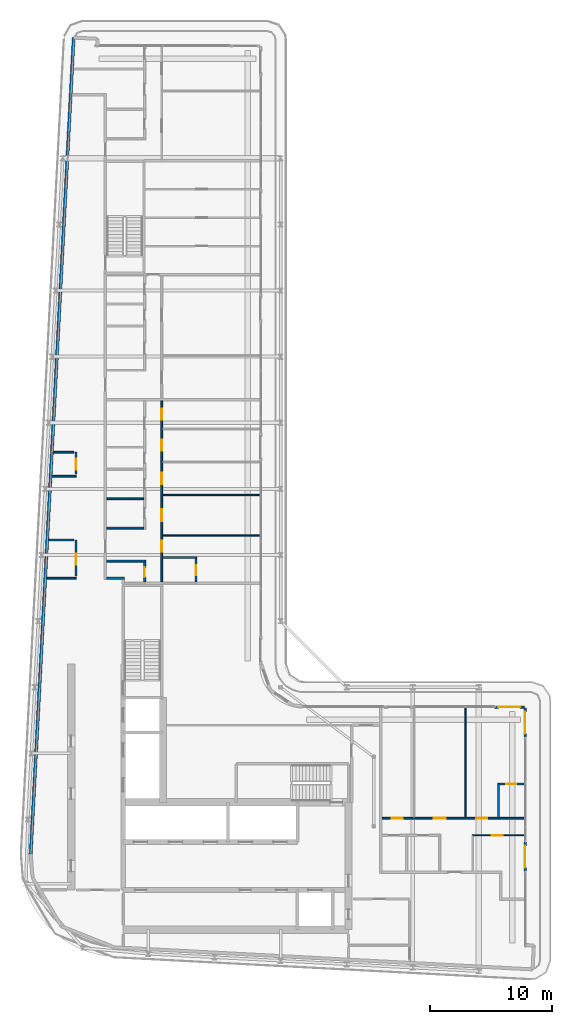
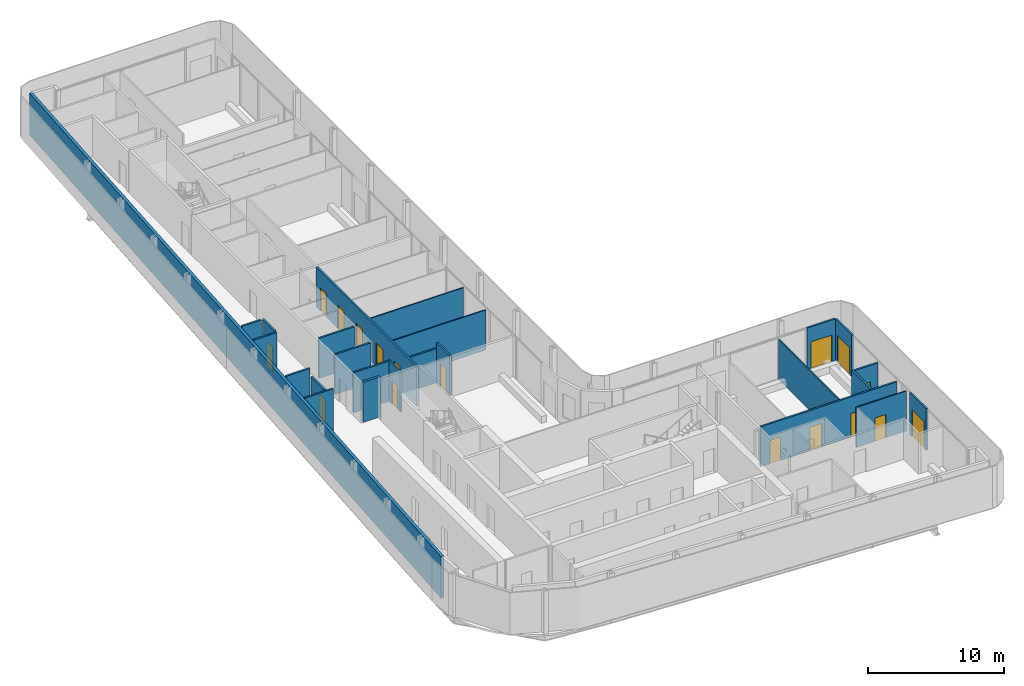
# One storey, part 13 of 21: 25 walls, 17 doors, 17 openings.
"""IFC4 building model written with IfcOpenShell, lengths in metres."""

from ifc_helpers import new_model, si_unit, direction, frame, frame_2d, origin, place, context, subcontext, project, spatial, rectangle, extrude, source, transform, mapped, material, layer, layer_set, type_object, element, fill, save


model = new_model("IFC4")

# Units and contexts
model_context = context("Model", 3, precision=1e-05, world=origin(), true_north=direction((0.0, 1.0)))
body_context = subcontext(model_context, "Body", "Model", "MODEL_VIEW")
ifc_project = project(units=[si_unit("LENGTHUNIT", "METRE"), si_unit("AREAUNIT", "SQUARE_METRE"), si_unit("VOLUMEUNIT", "CUBIC_METRE"), si_unit("PLANEANGLEUNIT", "RADIAN"), si_unit("MASSUNIT", "GRAM", prefix="KILO")], contexts=[model_context])

# Site, building, storey
site_placement = place(None, origin())
site = spatial("IfcSite", under=ifc_project, at=site_placement, CompositionType="ELEMENT")
building_placement = place(site_placement, origin())
building = spatial("IfcBuilding", under=site, at=building_placement, Name="Kheshtan School and Residences Tower", CompositionType="ELEMENT")
storey_placement = place(building_placement, frame((0.0, 0.0, 313.699951171875)))
storey = spatial("IfcBuildingStorey", under=building, at=storey_placement, Name="L74", CompositionType="ELEMENT", Elevation=313.699951171875)

# Walls
ifc_material_1 = material(Name="Gypsum board on steel studs with fire boards", Category="steel")
ifc_layer_1 = layer(ifc_material_1, 0.199951171875)
ifc_layer_set_1 = layer_set([ifc_layer_1], Name="Corridor wall 200")
wall_type_1 = type_object("IfcWallType", Name="Corridor wall 200", PredefinedType="PARTITIONING", material=ifc_layer_set_1)
wall_1_placement = place(storey_placement, frame((33.39990234375, 54.5, 0.0), z_axis=(0.0, 0.0, 1.0), x_axis=(1.0, 0.0, 0.0)))
element("IfcWall", 1, at=wall_1_placement, inside=storey, type_object=wall_type_1, Name="Partition L74-005", PredefinedType="PARTITIONING", context=body_context, shape_type="SweptSolid", body=[
    extrude(rectangle(XDim=1.4501953125, YDim=0.199951171875, at=frame_2d((0.72509765625, 0.0))), origin(), (0.0, 0.0, 1.0), 3.60009765625),
])
ifc_material_2 = material(Name="Concrete C40/50 with ceramic cladding and mineral wool insulation", Category="concrete")
ifc_layer_2 = layer(ifc_material_2, 0.25)
ifc_layer_set_2 = layer_set([ifc_layer_2], Name="External wall 250 ceramic clad")
wall_type_2 = type_object("IfcWallType", Name="External wall 250 ceramic clad", PredefinedType="SOLIDWALL", material=ifc_layer_set_2)
wall_2_placement = place(storey_placement, frame((27.195068359375, 31.968994140625, 0.0), z_axis=(0.0, 0.0, 1.0), x_axis=(0.052554995867, 0.998618031286, 0.0)))
element("IfcWall", 2, at=wall_2_placement, inside=storey, type_object=wall_type_2, Name="External wall L74 4", PredefinedType="SOLIDWALL", context=body_context, shape_type="SweptSolid", body=[
    extrude(rectangle(XDim=66.787353515625, YDim=0.25, at=frame_2d((33.3935546875, 0.0))), origin(), (0.0, 0.0, 1.0), 3.75),
])

# Wall, opening, door
ifc_material_3 = material(Name="Aluminium frame wall with insulated infill", Category="aluminium")
ifc_layer_3 = layer(ifc_material_3, 0.14990234375)
ifc_layer_set_3 = layer_set([ifc_layer_3], Name="Glazing frame wall 150")
wall_type_3 = type_object("IfcWallType", Name="Glazing frame wall 150", PredefinedType="SOLIDWALL", material=ifc_layer_set_3)
wall_3_placement = place(storey_placement, frame((65.10009765625, 43.97509765625, 0.0), z_axis=(0.0, 0.0, 1.0), x_axis=(1.0, 0.0, 0.0)))
wall_3 = element("IfcWall", 3, at=wall_3_placement, inside=storey, type_object=wall_type_3, Name="Balcony door wall L74 12.2", PredefinedType="SOLIDWALL", context=body_context, shape_type="SweptSolid", body=[
    extrude(rectangle(XDim=2.39990234375, YDim=0.14990234375, at=frame_2d((1.199951171875, 0.0))), origin(), (0.0, 0.0, 1.0), 3.75),
])
opening_1_placement = place(wall_3_placement, frame((0.300048828125, 0.0, 0.0)))
opening_1 = element("IfcOpeningElement", 4, at=opening_1_placement, cuts=wall_3, Name="Opening BD", PredefinedType="OPENING", context=body_context, shape_type="SweptSolid", body=[
    extrude(rectangle(XDim=1.800048828125, YDim=2.39990234375, at=frame_2d((0.89990234375, 1.199951171875))), frame((0.0, 0.0849609375, 0.0), z_axis=(0.0, -1.0, 0.0), x_axis=(1.0, 0.0, 0.0)), (0.0, 0.0, 1.0), 0.169921875),
])
ifc_material_4 = material(Name="Clear low-e glass in thermally broken aluminium frame", Category="aluminium")
door_type_1 = type_object("IfcDoorType", Name="Balcony sliding door", OperationType="SLIDING_TO_LEFT", PredefinedType="DOOR", material=ifc_material_4)
shared_shape_1 = source(origin(), body_context, "Body", "SweptSolid", [
    extrude(rectangle(XDim=1.800048828125, YDim=2.39990234375, at=frame_2d((0.89990234375, 1.199951171875))), frame((0.0, 0.02490234375, 0.0), z_axis=(0.0, -1.0, 0.0), x_axis=(1.0, 0.0, 0.0)), (0.0, 0.0, 1.0), 0.050048828125),
])
door_1_placement = place(opening_1_placement, origin())
door_1 = element("IfcDoor", 5, at=door_1_placement, inside=storey, type_object=door_type_1, Name="Balcony door L74 12.2", OperationType="SLIDING_TO_LEFT", OverallHeight=2.39990234375, OverallWidth=1.800048828125, PredefinedType="DOOR", context=body_context, shape_type="MappedRepresentation", body=[
    mapped(shared_shape_1, transform((0.0, 0.0, 0.0), x_axis=(1.0, 0.0, 0.0), y_axis=(0.0, 1.0, 0.0), z_axis=(0.0, 0.0, 1.0), scale=1.0)),
])
fill(opening_1, door_1)

wall_4_placement = place(storey_placement, frame((67.574951171875, 43.89990234375, 0.0), z_axis=(0.0, 0.0, 1.0), x_axis=(0.0, -1.0, 0.0)))
wall_4 = element("IfcWall", 6, at=wall_4_placement, inside=storey, type_object=wall_type_3, Name="Balcony door wall L74 13.1", PredefinedType="SOLIDWALL", context=body_context, shape_type="SweptSolid", body=[
    extrude(rectangle(XDim=2.39990234375, YDim=0.14990234375, at=frame_2d((1.199951171875, 0.0))), origin(), (0.0, 0.0, 1.0), 3.75),
])
opening_2_placement = place(wall_4_placement, frame((0.300048828125, 0.0, 0.0)))
opening_2 = element("IfcOpeningElement", 7, at=opening_2_placement, cuts=wall_4, Name="Opening BD", PredefinedType="OPENING", context=body_context, shape_type="SweptSolid", body=[
    extrude(rectangle(XDim=1.800048828125, YDim=2.39990234375, at=frame_2d((0.89990234375, 1.199951171875))), frame((0.0, 0.0849609375, 0.0), z_axis=(0.0, -1.0, 0.0), x_axis=(1.0, 0.0, 0.0)), (0.0, 0.0, 1.0), 0.169921875),
])
door_2_placement = place(opening_2_placement, origin())
door_2 = element("IfcDoor", 8, at=door_2_placement, inside=storey, type_object=door_type_1, Name="Balcony door L74 13.1", OperationType="SLIDING_TO_LEFT", OverallHeight=2.39990234375, OverallWidth=1.800048828125, PredefinedType="DOOR", context=body_context, shape_type="MappedRepresentation", body=[
    mapped(shared_shape_1, transform((0.0, 0.0, 0.0), x_axis=(1.0, 0.0, 0.0), y_axis=(0.0, 1.0, 0.0), z_axis=(0.0, 0.0, 1.0), scale=1.0)),
])
fill(opening_2, door_2)

wall_5_placement = place(storey_placement, frame((67.574951171875, 32.958984375, 0.0), z_axis=(0.0, 0.0, 1.0), x_axis=(0.0, -1.0, 0.0)))
wall_5 = element("IfcWall", 9, at=wall_5_placement, inside=storey, type_object=wall_type_3, Name="Balcony door wall L74 13.2", PredefinedType="SOLIDWALL", context=body_context, shape_type="SweptSolid", body=[
    extrude(rectangle(XDim=2.39990234375, YDim=0.14990234375, at=frame_2d((1.199951171875, 0.0))), origin(), (0.0, 0.0, 1.0), 3.75),
])
opening_3_placement = place(wall_5_placement, frame((0.300048828125, 0.0, 0.0)))
opening_3 = element("IfcOpeningElement", 10, at=opening_3_placement, cuts=wall_5, Name="Opening BD", PredefinedType="OPENING", context=body_context, shape_type="SweptSolid", body=[
    extrude(rectangle(XDim=1.800048828125, YDim=2.39990234375, at=frame_2d((0.89990234375, 1.199951171875))), frame((0.0, 0.0849609375, 0.0), z_axis=(0.0, -1.0, 0.0), x_axis=(1.0, 0.0, 0.0)), (0.0, 0.0, 1.0), 0.169921875),
])
door_3_placement = place(opening_3_placement, origin())
door_3 = element("IfcDoor", 11, at=door_3_placement, inside=storey, type_object=door_type_1, Name="Balcony door L74 13.2", OperationType="SLIDING_TO_LEFT", OverallHeight=2.39990234375, OverallWidth=1.800048828125, PredefinedType="DOOR", context=body_context, shape_type="MappedRepresentation", body=[
    mapped(shared_shape_1, transform((0.0, 0.0, 0.0), x_axis=(1.0, 0.0, 0.0), y_axis=(0.0, 1.0, 0.0), z_axis=(0.0, 0.0, 1.0), scale=1.0)),
])
fill(opening_3, door_3)

# Walls
ifc_material_5 = material(Name="Gypsum board on steel studs", Category="steel")
ifc_layer_4 = layer(ifc_material_5, 0.10009765625)
ifc_layer_set_4 = layer_set([ifc_layer_4], Name="Gypsum partition 100")
wall_type_4 = type_object("IfcWallType", Name="Gypsum partition 100", PredefinedType="PARTITIONING", material=ifc_layer_set_4)
for number, where, z_axis, x_axis, name in (
    (12, (37.97509765625, 58.0, 0.0), (0.0, 0.0, 1.0), (1.0, 0.0, 0.0), "Partition L74-035"),
    (13, (37.97509765625, 61.300048828125, 0.0), (0.0, 0.0, 1.0), (1.0, 0.0, 0.0), "Partition L74-036"),
):
    element("IfcWall", number, at=place(storey_placement, frame(where, z_axis=z_axis, x_axis=x_axis)), inside=storey, type_object=wall_type_4, Name=name, PredefinedType="PARTITIONING", context=body_context, shape_type="SweptSolid", body=[
        extrude(rectangle(XDim=7.9248046875, YDim=0.10009765625, at=frame_2d((3.96240234375, 0.0))), origin(), (0.0, 0.0, 1.0), 3.60009765625),
    ])
wall_6_placement = place(storey_placement, frame((62.699951171875, 34.97509765625, 0.0), z_axis=(0.0, 0.0, 1.0), x_axis=(0.0, 1.0, 0.0)))
element("IfcWall", 14, at=wall_6_placement, inside=storey, type_object=wall_type_4, Name="Partition L74-052", PredefinedType="PARTITIONING", context=body_context, shape_type="SweptSolid", body=[
    extrude(rectangle(XDim=8.9248046875, YDim=0.10009765625, at=frame_2d((4.46240234375, 0.0))), origin(), (0.0, 0.0, 1.0), 3.60009765625),
])

# Wall, opening, door
wall_7_placement = place(storey_placement, frame((63.25, 33.5, 0.0), z_axis=(0.0, 0.0, 1.0), x_axis=(1.0, 0.0, 0.0)))
wall_7 = element("IfcWall", 15, at=wall_7_placement, inside=storey, type_object=wall_type_4, Name="Partition L74-053", PredefinedType="PARTITIONING", context=body_context, shape_type="SweptSolid", body=[
    extrude(rectangle(XDim=4.25, YDim=0.10009765625, at=frame_2d((2.125, 0.0))), origin(), (0.0, 0.0, 1.0), 3.60009765625),
])
opening_4_placement = place(wall_7_placement, frame((1.60009765625, 0.0, 0.0)))
opening_4 = element("IfcOpeningElement", 16, at=opening_4_placement, cuts=wall_7, Name="Opening D72-005", PredefinedType="OPENING", context=body_context, shape_type="SweptSolid", body=[
    extrude(rectangle(XDim=0.89990234375, YDim=2.10009765625, at=frame_2d((0.449951171875, 1.050048828125))), frame((0.0, 0.06005859375, 0.0), z_axis=(0.0, -1.0, 0.0), x_axis=(1.0, 0.0, 0.0)), (0.0, 0.0, 1.0), 0.1201171875),
])
ifc_material_6 = material(Name="Veneered timber door leaf", Category="wood")
door_type_2 = type_object("IfcDoorType", Name="Door 900 x 2100", OperationType="SINGLE_SWING_LEFT", PredefinedType="DOOR", material=ifc_material_6)
shared_shape_2 = source(origin(), body_context, "Body", "SweptSolid", [
    extrude(rectangle(XDim=0.89990234375, YDim=2.10009765625, at=frame_2d((0.449951171875, 1.050048828125))), frame((0.0, 0.02490234375, 0.0), z_axis=(0.0, -1.0, 0.0), x_axis=(1.0, 0.0, 0.0)), (0.0, 0.0, 1.0), 0.050048828125),
])
door_4_placement = place(opening_4_placement, origin())
door_4 = element("IfcDoor", 17, at=door_4_placement, inside=storey, type_object=door_type_2, Name="Door D72-005", OperationType="SINGLE_SWING_LEFT", OverallHeight=2.10009765625, OverallWidth=0.89990234375, PredefinedType="DOOR", context=body_context, shape_type="MappedRepresentation", body=[
    mapped(shared_shape_2, transform((0.0, 0.0, 0.0), x_axis=(1.0, 0.0, 0.0), y_axis=(0.0, 1.0, 0.0), z_axis=(0.0, 0.0, 1.0), scale=1.0)),
])
fill(opening_4, door_4)

# Wall
ifc_material_7 = material(Name="Fire-board shaft wall system")
ifc_layer_5 = layer(ifc_material_7, 0.14990234375)
ifc_layer_set_5 = layer_set([ifc_layer_5], Name="Service room wall 150")
wall_type_5 = type_object("IfcWallType", Name="Service room wall 150", PredefinedType="PARTITIONING", material=ifc_layer_set_5)
wall_8_placement = place(storey_placement, frame((28.508056640625, 54.5, 0.0), z_axis=(0.0, 0.0, 1.0), x_axis=(1.0, 0.0, 0.0)))
element("IfcWall", 18, at=wall_8_placement, inside=storey, type_object=wall_type_5, Name="Service room wall", PredefinedType="PARTITIONING", context=body_context, shape_type="SweptSolid", body=[
    extrude(rectangle(XDim=2.391845703125, YDim=0.14990234375, at=frame_2d((1.19580078125, 0.0))), origin(), (0.0, 0.0, 1.0), 3.900146484375),
])

# Wall, opening, door
wall_9_placement = place(storey_placement, frame((30.89990234375, 54.695068359375, 0.0), z_axis=(0.0, 0.0, 1.0), x_axis=(0.0, 1.0, 0.0)))
wall_9 = element("IfcWall", 19, at=wall_9_placement, inside=storey, type_object=wall_type_5, Name="Service room wall", PredefinedType="PARTITIONING", context=body_context, shape_type="SweptSolid", body=[
    extrude(rectangle(XDim=2.930908203125, YDim=0.14990234375, at=frame_2d((1.46533203125, 0.0))), origin(), (0.0, 0.0, 1.0), 3.072021484375),
])
opening_5_placement = place(wall_9_placement, frame((0.91796875, 0.0, 0.0)))
opening_5 = element("IfcOpeningElement", 20, at=opening_5_placement, cuts=wall_9, Name="Opening SR90", PredefinedType="OPENING", context=body_context, shape_type="SweptSolid", body=[
    extrude(rectangle(XDim=0.89990234375, YDim=2.199951171875, at=frame_2d((0.449951171875, 1.10009765625))), frame((0.0, 0.0849609375, 0.0), z_axis=(0.0, -1.0, 0.0), x_axis=(1.0, 0.0, 0.0)), (0.0, 0.0, 1.0), 0.169921875),
])
ifc_material_8 = material(Name="Steel door leaf, galvanised", Category="steel")
door_type_3 = type_object("IfcDoorType", Name="Service room door 900 steel 90 min", OperationType="SINGLE_SWING_LEFT", PredefinedType="DOOR", material=ifc_material_8)
shared_shape_3 = source(origin(), body_context, "Body", "SweptSolid", [
    extrude(rectangle(XDim=0.89990234375, YDim=2.199951171875, at=frame_2d((0.449951171875, 1.10009765625))), frame((0.0, 0.02490234375, 0.0), z_axis=(0.0, -1.0, 0.0), x_axis=(1.0, 0.0, 0.0)), (0.0, 0.0, 1.0), 0.050048828125),
])
door_5_placement = place(opening_5_placement, origin())
door_5 = element("IfcDoor", 21, at=door_5_placement, inside=storey, type_object=door_type_3, Name="Service room door", OperationType="SINGLE_SWING_LEFT", OverallHeight=2.199951171875, OverallWidth=0.89990234375, PredefinedType="DOOR", context=body_context, shape_type="MappedRepresentation", body=[
    mapped(shared_shape_3, transform((0.0, 0.0, 0.0), x_axis=(1.0, 0.0, 0.0), y_axis=(0.0, 1.0, 0.0), z_axis=(0.0, 0.0, 1.0), scale=1.0)),
])
fill(opening_5, door_5)

# Walls
wall_10_placement = place(storey_placement, frame((28.673095703125, 57.6259765625, 0.0), z_axis=(0.0, 0.0, 1.0), x_axis=(1.0, 0.0, 0.0)))
element("IfcWall", 22, at=wall_10_placement, inside=storey, type_object=wall_type_5, Name="Service room wall", PredefinedType="PARTITIONING", context=body_context, shape_type="SweptSolid", body=[
    extrude(rectangle(XDim=2.031982421875, YDim=0.14990234375, at=frame_2d((1.01611328125, 0.0))), origin(), (0.0, 0.0, 1.0), 3.900146484375),
])
wall_11_placement = place(storey_placement, frame((28.947021484375, 62.8330078125, 0.0), z_axis=(0.0, 0.0, 1.0), x_axis=(1.0, 0.0, 0.0)))
element("IfcWall", 23, at=wall_11_placement, inside=storey, type_object=wall_type_5, Name="Service room wall", PredefinedType="PARTITIONING", context=body_context, shape_type="SweptSolid", body=[
    extrude(rectangle(XDim=1.952880859375, YDim=0.14990234375, at=frame_2d((0.9765625, 0.0))), origin(), (0.0, 0.0, 1.0), 3.900146484375),
])

# Wall, opening, door
wall_12_placement = place(storey_placement, frame((30.89990234375, 63.028076171875, 0.0), z_axis=(0.0, 0.0, 1.0), x_axis=(0.0, 1.0, 0.0)))
wall_12 = element("IfcWall", 24, at=wall_12_placement, inside=storey, type_object=wall_type_5, Name="Service room wall", PredefinedType="PARTITIONING", context=body_context, shape_type="SweptSolid", body=[
    extrude(rectangle(XDim=1.77197265625, YDim=0.14990234375, at=frame_2d((0.885986328125, 0.0))), origin(), (0.0, 0.0, 1.0), 3.900146484375),
])
opening_6_placement = place(wall_12_placement, frame((0.337890625, 0.0, 0.0)))
opening_6 = element("IfcOpeningElement", 25, at=opening_6_placement, cuts=wall_12, Name="Opening SR90", PredefinedType="OPENING", context=body_context, shape_type="SweptSolid", body=[
    extrude(rectangle(XDim=0.89990234375, YDim=2.199951171875, at=frame_2d((0.449951171875, 1.10009765625))), frame((0.0, 0.0849609375, 0.0), z_axis=(0.0, -1.0, 0.0), x_axis=(1.0, 0.0, 0.0)), (0.0, 0.0, 1.0), 0.169921875),
])
door_6_placement = place(opening_6_placement, origin())
door_6 = element("IfcDoor", 26, at=door_6_placement, inside=storey, type_object=door_type_3, Name="Service room door", OperationType="SINGLE_SWING_LEFT", OverallHeight=2.199951171875, OverallWidth=0.89990234375, PredefinedType="DOOR", context=body_context, shape_type="MappedRepresentation", body=[
    mapped(shared_shape_3, transform((0.0, 0.0, 0.0), x_axis=(1.0, 0.0, 0.0), y_axis=(0.0, 1.0, 0.0), z_axis=(0.0, 0.0, 1.0), scale=1.0)),
])
fill(opening_6, door_6)

# Walls
wall_13_placement = place(storey_placement, frame((29.050048828125, 64.800048828125, 0.0), z_axis=(0.0, 0.0, 1.0), x_axis=(1.0, 0.0, 0.0)))
element("IfcWall", 27, at=wall_13_placement, inside=storey, type_object=wall_type_5, Name="Service room wall", PredefinedType="PARTITIONING", context=body_context, shape_type="SweptSolid", body=[
    extrude(rectangle(XDim=1.655029296875, YDim=0.14990234375, at=frame_2d((0.82763671875, 0.0))), origin(), (0.0, 0.0, 1.0), 3.900146484375),
])
ifc_material_9 = material(Name="Moisture-resistant gypsum board on steel studs", Category="steel")
ifc_layer_6 = layer(ifc_material_9, 0.14990234375)
ifc_layer_set_6 = layer_set([ifc_layer_6], Name="Wet-room partition 150")
wall_type_6 = type_object("IfcWallType", Name="Wet-room partition 150", PredefinedType="PARTITIONING", material=ifc_layer_set_6)
wall_14_placement = place(storey_placement, frame((33.39990234375, 55.89990234375, 0.0), z_axis=(0.0, 0.0, 1.0), x_axis=(1.0, 0.0, 0.0)))
element("IfcWall", 28, at=wall_14_placement, inside=storey, type_object=wall_type_6, Name="Partition L74-006", PredefinedType="PARTITIONING", context=body_context, shape_type="SweptSolid", body=[
    extrude(rectangle(XDim=3.175048828125, YDim=0.14990234375, at=frame_2d((1.58740234375, 0.0))), origin(), (0.0, 0.0, 1.0), 3.60009765625),
])
for number, where, z_axis, x_axis, name in (
    (29, (33.39990234375, 58.60009765625, 0.0), (0.0, 0.0, 1.0), (1.0, 0.0, 0.0), "Partition L74-007"),
    (30, (33.39990234375, 61.0, 0.0), (0.0, 0.0, 1.0), (1.0, 0.0, 0.0), "Partition L74-008"),
):
    element("IfcWall", number, at=place(storey_placement, frame(where, z_axis=z_axis, x_axis=x_axis)), inside=storey, type_object=wall_type_6, Name=name, PredefinedType="PARTITIONING", context=body_context, shape_type="SweptSolid", body=[
        extrude(rectangle(XDim=3.025146484375, YDim=0.14990234375, at=frame_2d((1.5126953125, 0.0))), origin(), (0.0, 0.0, 1.0), 3.60009765625),
    ])

# Wall, opening, door
wall_15_placement = place(storey_placement, frame((36.5, 54.199951171875, 0.0), z_axis=(0.0, 0.0, 1.0), x_axis=(0.0, 1.0, 0.0)))
wall_15 = element("IfcWall", 31, at=wall_15_placement, inside=storey, type_object=wall_type_6, Name="Partition L74-021", PredefinedType="PARTITIONING", context=body_context, shape_type="SweptSolid", body=[
    extrude(rectangle(XDim=1.625, YDim=0.14990234375, at=frame_2d((0.8125, 0.0))), origin(), (0.0, 0.0, 1.0), 3.60009765625),
])
opening_7_placement = place(wall_15_placement, frame((0.39990234375, 0.0, 0.0)))
opening_7 = element("IfcOpeningElement", 32, at=opening_7_placement, cuts=wall_15, Name="Opening D72-020", PredefinedType="OPENING", context=body_context, shape_type="SweptSolid", body=[
    extrude(rectangle(XDim=0.800048828125, YDim=2.10009765625, at=frame_2d((0.39990234375, 1.050048828125))), frame((0.0, 0.0849609375, 0.0), z_axis=(0.0, -1.0, 0.0), x_axis=(1.0, 0.0, 0.0)), (0.0, 0.0, 1.0), 0.169921875),
])
door_type_4 = type_object("IfcDoorType", Name="Door 800 x 2100", OperationType="SINGLE_SWING_LEFT", PredefinedType="DOOR", material=ifc_material_6)
shared_shape_4 = source(origin(), body_context, "Body", "SweptSolid", [
    extrude(rectangle(XDim=0.800048828125, YDim=2.10009765625, at=frame_2d((0.39990234375, 1.050048828125))), frame((0.0, 0.02490234375, 0.0), z_axis=(0.0, -1.0, 0.0), x_axis=(1.0, 0.0, 0.0)), (0.0, 0.0, 1.0), 0.050048828125),
])
door_7_placement = place(opening_7_placement, origin())
door_7 = element("IfcDoor", 33, at=door_7_placement, inside=storey, type_object=door_type_4, Name="Door D72-020", OperationType="SINGLE_SWING_RIGHT", OverallHeight=2.10009765625, OverallWidth=0.800048828125, PredefinedType="DOOR", context=body_context, shape_type="MappedRepresentation", body=[
    mapped(shared_shape_4, transform((0.0, 0.0, 0.0), x_axis=(1.0, 0.0, 0.0), y_axis=(0.0, 1.0, 0.0), z_axis=(0.0, 0.0, 1.0), scale=1.0)),
])
fill(opening_7, door_7)

# Wall, openings, doors
wall_16_placement = place(storey_placement, frame((37.89990234375, 54.199951171875, 0.0), z_axis=(0.0, 0.0, 1.0), x_axis=(0.0, 1.0, 0.0)))
wall_16 = element("IfcWall", 34, at=wall_16_placement, inside=storey, type_object=wall_type_6, Name="Partition L74-030", PredefinedType="PARTITIONING", context=body_context, shape_type="SweptSolid", body=[
    extrude(rectangle(XDim=14.800048828125, YDim=0.14990234375, at=frame_2d((7.39990234375, 0.0))), origin(), (0.0, 0.0, 1.0), 3.60009765625),
])
opening_8_placement = place(wall_16_placement, frame((8.0, 0.0, 0.0)))
opening_8 = element("IfcOpeningElement", 35, at=opening_8_placement, cuts=wall_16, Name="Opening D72-011", PredefinedType="OPENING", context=body_context, shape_type="SweptSolid", body=[
    extrude(rectangle(XDim=0.89990234375, YDim=2.10009765625, at=frame_2d((0.449951171875, 1.050048828125))), frame((0.0, 0.0849609375, 0.0), z_axis=(0.0, -1.0, 0.0), x_axis=(1.0, 0.0, 0.0)), (0.0, 0.0, 1.0), 0.169921875),
])
opening_9_placement = place(wall_16_placement, frame((10.699951171875, 0.0, 0.0)))
opening_9 = element("IfcOpeningElement", 36, at=opening_9_placement, cuts=wall_16, Name="Opening D72-012", PredefinedType="OPENING", context=body_context, shape_type="SweptSolid", body=[
    extrude(rectangle(XDim=0.89990234375, YDim=2.10009765625, at=frame_2d((0.449951171875, 1.050048828125))), frame((0.0, 0.0849609375, 0.0), z_axis=(0.0, -1.0, 0.0), x_axis=(1.0, 0.0, 0.0)), (0.0, 0.0, 1.0), 0.169921875),
])
opening_10_placement = place(wall_16_placement, frame((4.949951171875, 0.0, 0.0)))
opening_10 = element("IfcOpeningElement", 37, at=opening_10_placement, cuts=wall_16, Name="Opening D72-016", PredefinedType="OPENING", context=body_context, shape_type="SweptSolid", body=[
    extrude(rectangle(XDim=1.0, YDim=2.10009765625, at=frame_2d((0.5, 1.050048828125))), frame((0.0, 0.0849609375, 0.0), z_axis=(0.0, -1.0, 0.0), x_axis=(1.0, 0.0, 0.0)), (0.0, 0.0, 1.0), 0.169921875),
])
opening_11_placement = place(wall_16_placement, frame((13.25, 0.0, 0.0)))
opening_11 = element("IfcOpeningElement", 38, at=opening_11_placement, cuts=wall_16, Name="Opening D72-017", PredefinedType="OPENING", context=body_context, shape_type="SweptSolid", body=[
    extrude(rectangle(XDim=0.89990234375, YDim=2.10009765625, at=frame_2d((0.449951171875, 1.050048828125))), frame((0.0, 0.0849609375, 0.0), z_axis=(0.0, -1.0, 0.0), x_axis=(1.0, 0.0, 0.0)), (0.0, 0.0, 1.0), 0.169921875),
])
opening_12_placement = place(wall_16_placement, frame((2.449951171875, 0.0, 0.0)))
opening_12 = element("IfcOpeningElement", 39, at=opening_12_placement, cuts=wall_16, Name="Opening D72-018", PredefinedType="OPENING", context=body_context, shape_type="SweptSolid", body=[
    extrude(rectangle(XDim=0.89990234375, YDim=2.10009765625, at=frame_2d((0.449951171875, 1.050048828125))), frame((0.0, 0.0849609375, 0.0), z_axis=(0.0, -1.0, 0.0), x_axis=(1.0, 0.0, 0.0)), (0.0, 0.0, 1.0), 0.169921875),
])
door_type_5 = type_object("IfcDoorType", Name="Door 1000 x 2100", OperationType="SINGLE_SWING_LEFT", PredefinedType="DOOR", material=ifc_material_6)
shared_shape_5 = source(origin(), body_context, "Body", "SweptSolid", [
    extrude(rectangle(XDim=1.0, YDim=2.10009765625, at=frame_2d((0.5, 1.050048828125))), frame((0.0, 0.02490234375, 0.0), z_axis=(0.0, -1.0, 0.0), x_axis=(1.0, 0.0, 0.0)), (0.0, 0.0, 1.0), 0.050048828125),
])
door_8_placement = place(opening_10_placement, origin())
door_8 = element("IfcDoor", 40, at=door_8_placement, inside=storey, type_object=door_type_5, Name="Door D72-016", OperationType="SINGLE_SWING_LEFT", OverallHeight=2.10009765625, OverallWidth=1.0, PredefinedType="DOOR", context=body_context, shape_type="MappedRepresentation", body=[
    mapped(shared_shape_5, transform((0.0, 0.0, 0.0), x_axis=(1.0, 0.0, 0.0), y_axis=(0.0, 1.0, 0.0), z_axis=(0.0, 0.0, 1.0), scale=1.0)),
])
fill(opening_10, door_8)
door_9_placement = place(opening_8_placement, origin())
door_9 = element("IfcDoor", 41, at=door_9_placement, inside=storey, type_object=door_type_2, Name="Door D72-011", OperationType="SINGLE_SWING_LEFT", OverallHeight=2.10009765625, OverallWidth=0.89990234375, PredefinedType="DOOR", context=body_context, shape_type="MappedRepresentation", body=[
    mapped(shared_shape_2, transform((0.0, 0.0, 0.0), x_axis=(1.0, 0.0, 0.0), y_axis=(0.0, 1.0, 0.0), z_axis=(0.0, 0.0, 1.0), scale=1.0)),
])
fill(opening_8, door_9)
door_10_placement = place(opening_9_placement, origin())
door_10 = element("IfcDoor", 42, at=door_10_placement, inside=storey, type_object=door_type_2, Name="Door D72-012", OperationType="SINGLE_SWING_RIGHT", OverallHeight=2.10009765625, OverallWidth=0.89990234375, PredefinedType="DOOR", context=body_context, shape_type="MappedRepresentation", body=[
    mapped(shared_shape_2, transform((0.0, 0.0, 0.0), x_axis=(1.0, 0.0, 0.0), y_axis=(0.0, 1.0, 0.0), z_axis=(0.0, 0.0, 1.0), scale=1.0)),
])
fill(opening_9, door_10)
door_11_placement = place(opening_11_placement, origin())
door_11 = element("IfcDoor", 43, at=door_11_placement, inside=storey, type_object=door_type_2, Name="Door D72-017", OperationType="SINGLE_SWING_LEFT", OverallHeight=2.10009765625, OverallWidth=0.89990234375, PredefinedType="DOOR", context=body_context, shape_type="MappedRepresentation", body=[
    mapped(shared_shape_2, transform((0.0, 0.0, 0.0), x_axis=(1.0, 0.0, 0.0), y_axis=(0.0, 1.0, 0.0), z_axis=(0.0, 0.0, 1.0), scale=1.0)),
])
fill(opening_11, door_11)
door_12_placement = place(opening_12_placement, origin())
door_12 = element("IfcDoor", 44, at=door_12_placement, inside=storey, type_object=door_type_2, Name="Door D72-018", OperationType="SINGLE_SWING_LEFT", OverallHeight=2.10009765625, OverallWidth=0.89990234375, PredefinedType="DOOR", context=body_context, shape_type="MappedRepresentation", body=[
    mapped(shared_shape_2, transform((0.0, 0.0, 0.0), x_axis=(1.0, 0.0, 0.0), y_axis=(0.0, 1.0, 0.0), z_axis=(0.0, 0.0, 1.0), scale=1.0)),
])
fill(opening_12, door_12)

# Wall
wall_17_placement = place(storey_placement, frame((37.97509765625, 56.199951171875, 0.0), z_axis=(0.0, 0.0, 1.0), x_axis=(1.0, 0.0, 0.0)))
element("IfcWall", 45, at=wall_17_placement, inside=storey, type_object=wall_type_6, Name="Partition L74-034", PredefinedType="PARTITIONING", context=body_context, shape_type="SweptSolid", body=[
    extrude(rectangle(XDim=2.7998046875, YDim=0.14990234375, at=frame_2d((1.39990234375, 0.0))), origin(), (0.0, 0.0, 1.0), 3.072021484375),
])

# Wall, opening, door
wall_18_placement = place(storey_placement, frame((40.699951171875, 54.199951171875, 0.0), z_axis=(0.0, 0.0, 1.0), x_axis=(0.0, 1.0, 0.0)))
wall_18 = element("IfcWall", 46, at=wall_18_placement, inside=storey, type_object=wall_type_6, Name="Partition L74-042", PredefinedType="PARTITIONING", context=body_context, shape_type="SweptSolid", body=[
    extrude(rectangle(XDim=1.925048828125, YDim=0.14990234375, at=frame_2d((0.96240234375, 0.0))), origin(), (0.0, 0.0, 1.0), 3.60009765625),
])
opening_13_placement = place(wall_18_placement, frame((0.550048828125, 0.0, 0.0)))
opening_13 = element("IfcOpeningElement", 47, at=opening_13_placement, cuts=wall_18, Name="Opening D72-013", PredefinedType="OPENING", context=body_context, shape_type="SweptSolid", body=[
    extrude(rectangle(XDim=0.800048828125, YDim=2.10009765625, at=frame_2d((0.39990234375, 1.050048828125))), frame((0.0, 0.0849609375, 0.0), z_axis=(0.0, -1.0, 0.0), x_axis=(1.0, 0.0, 0.0)), (0.0, 0.0, 1.0), 0.169921875),
])
door_13_placement = place(opening_13_placement, origin())
door_13 = element("IfcDoor", 48, at=door_13_placement, inside=storey, type_object=door_type_4, Name="Door D72-013", OperationType="SINGLE_SWING_RIGHT", OverallHeight=2.10009765625, OverallWidth=0.800048828125, PredefinedType="DOOR", context=body_context, shape_type="MappedRepresentation", body=[
    mapped(shared_shape_4, transform((0.0, 0.0, 0.0), x_axis=(1.0, 0.0, 0.0), y_axis=(0.0, 1.0, 0.0), z_axis=(0.0, 0.0, 1.0), scale=1.0)),
])
fill(opening_13, door_13)

# Wall, openings, doors
wall_19_placement = place(storey_placement, frame((55.89990234375, 34.89990234375, 0.0), z_axis=(0.0, 0.0, 1.0), x_axis=(1.0, 0.0, 0.0)))
wall_19 = element("IfcWall", 49, at=wall_19_placement, inside=storey, type_object=wall_type_6, Name="Partition L74-048", PredefinedType="PARTITIONING", context=body_context, shape_type="SweptSolid", body=[
    extrude(rectangle(XDim=11.60009765625, YDim=0.14990234375, at=frame_2d((5.800048828125, 0.0))), origin(), (0.0, 0.0, 1.0), 3.60009765625),
])
opening_14_placement = place(wall_19_placement, frame((0.800048828125, 0.0, 0.0)))
opening_14 = element("IfcOpeningElement", 50, at=opening_14_placement, cuts=wall_19, Name="Opening D72-002", PredefinedType="OPENING", context=body_context, shape_type="SweptSolid", body=[
    extrude(rectangle(XDim=0.89990234375, YDim=2.10009765625, at=frame_2d((0.449951171875, 1.050048828125))), frame((0.0, 0.0849609375, 0.0), z_axis=(0.0, -1.0, 0.0), x_axis=(1.0, 0.0, 0.0)), (0.0, 0.0, 1.0), 0.169921875),
])
opening_15_placement = place(wall_19_placement, frame((4.199951171875, 0.0, 0.0)))
opening_15 = element("IfcOpeningElement", 51, at=opening_15_placement, cuts=wall_19, Name="Opening D72-006", PredefinedType="OPENING", context=body_context, shape_type="SweptSolid", body=[
    extrude(rectangle(XDim=1.0, YDim=2.10009765625, at=frame_2d((0.5, 1.050048828125))), frame((0.0, 0.0849609375, 0.0), z_axis=(0.0, -1.0, 0.0), x_axis=(1.0, 0.0, 0.0)), (0.0, 0.0, 1.0), 0.169921875),
])
opening_16_placement = place(wall_19_placement, frame((7.699951171875, 0.0, 0.0)))
opening_16 = element("IfcOpeningElement", 52, at=opening_16_placement, cuts=wall_19, Name="Opening D72-007", PredefinedType="OPENING", context=body_context, shape_type="SweptSolid", body=[
    extrude(rectangle(XDim=0.89990234375, YDim=2.10009765625, at=frame_2d((0.449951171875, 1.050048828125))), frame((0.0, 0.0849609375, 0.0), z_axis=(0.0, -1.0, 0.0), x_axis=(1.0, 0.0, 0.0)), (0.0, 0.0, 1.0), 0.169921875),
])
door_14_placement = place(opening_15_placement, origin())
door_14 = element("IfcDoor", 53, at=door_14_placement, inside=storey, type_object=door_type_5, Name="Door D72-006", OperationType="SINGLE_SWING_LEFT", OverallHeight=2.10009765625, OverallWidth=1.0, PredefinedType="DOOR", context=body_context, shape_type="MappedRepresentation", body=[
    mapped(shared_shape_5, transform((0.0, 0.0, 0.0), x_axis=(1.0, 0.0, 0.0), y_axis=(0.0, 1.0, 0.0), z_axis=(0.0, 0.0, 1.0), scale=1.0)),
])
fill(opening_15, door_14)
door_15_placement = place(opening_14_placement, origin())
door_15 = element("IfcDoor", 54, at=door_15_placement, inside=storey, type_object=door_type_2, Name="Door D72-002", OperationType="SINGLE_SWING_LEFT", OverallHeight=2.10009765625, OverallWidth=0.89990234375, PredefinedType="DOOR", context=body_context, shape_type="MappedRepresentation", body=[
    mapped(shared_shape_2, transform((0.0, 0.0, 0.0), x_axis=(1.0, 0.0, 0.0), y_axis=(0.0, 1.0, 0.0), z_axis=(0.0, 0.0, 1.0), scale=1.0)),
])
fill(opening_14, door_15)
door_16_placement = place(opening_16_placement, origin())
door_16 = element("IfcDoor", 55, at=door_16_placement, inside=storey, type_object=door_type_2, Name="Door D72-007", OperationType="SINGLE_SWING_RIGHT", OverallHeight=2.10009765625, OverallWidth=0.89990234375, PredefinedType="DOOR", context=body_context, shape_type="MappedRepresentation", body=[
    mapped(shared_shape_2, transform((0.0, 0.0, 0.0), x_axis=(1.0, 0.0, 0.0), y_axis=(0.0, 1.0, 0.0), z_axis=(0.0, 0.0, 1.0), scale=1.0)),
])
fill(opening_16, door_16)

# Wall
wall_20_placement = place(storey_placement, frame((65.39990234375, 34.97509765625, 0.0), z_axis=(0.0, 0.0, 1.0), x_axis=(0.0, 1.0, 0.0)))
element("IfcWall", 56, at=wall_20_placement, inside=storey, type_object=wall_type_6, Name="Partition L74-055", PredefinedType="PARTITIONING", context=body_context, shape_type="SweptSolid", body=[
    extrude(rectangle(XDim=2.7998046875, YDim=0.14990234375, at=frame_2d((1.39990234375, 0.0))), origin(), (0.0, 0.0, 1.0), 3.60009765625),
])

# Wall, opening, door
wall_21_placement = place(storey_placement, frame((65.47509765625, 37.699951171875, 0.0), z_axis=(0.0, 0.0, 1.0), x_axis=(1.0, 0.0, 0.0)))
wall_21 = element("IfcWall", 57, at=wall_21_placement, inside=storey, type_object=wall_type_6, Name="Partition L74-056", PredefinedType="PARTITIONING", context=body_context, shape_type="SweptSolid", body=[
    extrude(rectangle(XDim=2.02490234375, YDim=0.14990234375, at=frame_2d((1.012451171875, 0.0))), origin(), (0.0, 0.0, 1.0), 3.60009765625),
])
opening_17_placement = place(wall_21_placement, frame((0.574951171875, 0.0, 0.0)))
opening_17 = element("IfcOpeningElement", 58, at=opening_17_placement, cuts=wall_21, Name="Opening D72-003", PredefinedType="OPENING", context=body_context, shape_type="SweptSolid", body=[
    extrude(rectangle(XDim=0.800048828125, YDim=2.10009765625, at=frame_2d((0.39990234375, 1.050048828125))), frame((0.0, 0.0849609375, 0.0), z_axis=(0.0, -1.0, 0.0), x_axis=(1.0, 0.0, 0.0)), (0.0, 0.0, 1.0), 0.169921875),
])
door_17_placement = place(opening_17_placement, origin())
door_17 = element("IfcDoor", 59, at=door_17_placement, inside=storey, type_object=door_type_4, Name="Door D72-003", OperationType="SINGLE_SWING_RIGHT", OverallHeight=2.10009765625, OverallWidth=0.800048828125, PredefinedType="DOOR", context=body_context, shape_type="MappedRepresentation", body=[
    mapped(shared_shape_4, transform((0.0, 0.0, 0.0), x_axis=(1.0, 0.0, 0.0), y_axis=(0.0, 1.0, 0.0), z_axis=(0.0, 0.0, 1.0), scale=1.0)),
])
fill(opening_17, door_17)

save(model, "model.ifc")
